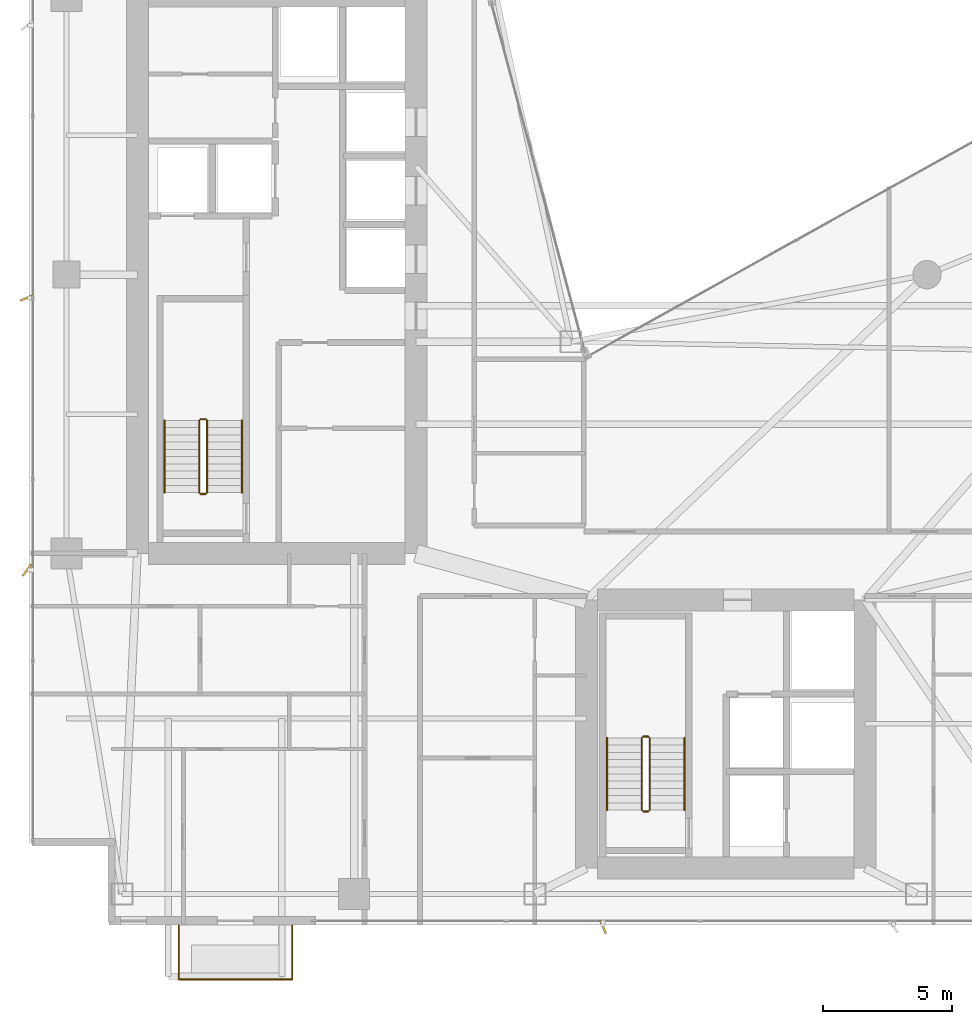
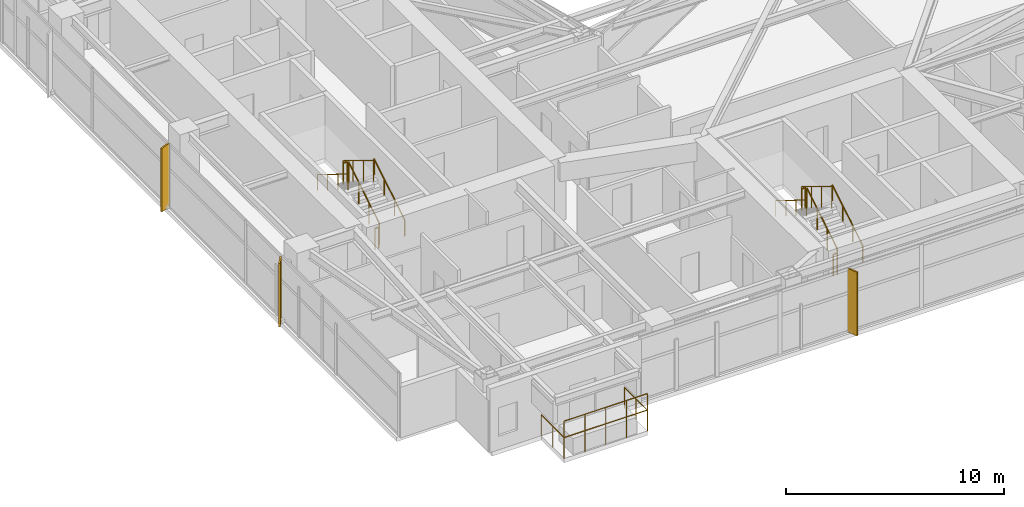
# One storey, part 27 of 28: 14 railings, 3 shading devices.
"""IFC4 building model written with IfcOpenShell, lengths in metres."""

from ifc_helpers import new_model, si_unit, direction, frame, origin, origin_2d, place, context, subcontext, project, spatial, rectangle, circle, extrude, material, type_object, element, save


model = new_model("IFC4")

# Units and contexts
model_context = context("Model", 3, precision=1e-05, world=origin(), true_north=direction((0.0, 1.0)))
body_context = subcontext(model_context, "Body", "Model", "MODEL_VIEW")
ifc_project = project(units=[si_unit("LENGTHUNIT", "METRE"), si_unit("AREAUNIT", "SQUARE_METRE"), si_unit("VOLUMEUNIT", "CUBIC_METRE"), si_unit("PLANEANGLEUNIT", "RADIAN"), si_unit("MASSUNIT", "GRAM", prefix="KILO")], contexts=[model_context])

# Site, building, storey
site_placement = place(None, origin())
site = spatial("IfcSite", under=ifc_project, at=site_placement, CompositionType="ELEMENT")
building_placement = place(site_placement, origin())
building = spatial("IfcBuilding", under=site, at=building_placement, Name="Calvorn Quay Hotel", CompositionType="ELEMENT")
storey_placement = place(building_placement, frame((0.0, 0.0, 108.800048828125)))
storey = spatial("IfcBuildingStorey", under=building, at=storey_placement, Name="L26", CompositionType="ELEMENT", Elevation=108.800048828125)

# Railings
ifc_material_1 = material(Name="Pale Anodised Aluminium and Laminated Glass", Category="aluminium")
railing_type_1 = type_object("IfcRailingType", Name="RLG-BALUSTRADE-1200", PredefinedType="BALUSTRADE", material=ifc_material_1)
railing_1_placement = place(storey_placement, frame((5.800048828125, 2.389892578125, 0.0)))
element("IfcRailing", 1, at=railing_1_placement, inside=storey, type_object=railing_type_1, Name="Tree Balcony Perimeter Balustrade L26-BALC-S", PredefinedType="BALUSTRADE", context=body_context, shape_type="SweptSolid", body=[
    extrude(circle(Radius=0.02392578125, at=origin_2d()), frame((0.0, 0.0, 1.17578125), z_axis=(0.0, -1.0, 0.0), x_axis=(1.0, 0.0, 0.0)), (0.0, 0.0, 1.0), 2.099853515625),
    extrude(circle(Radius=0.02392578125, at=origin_2d()), frame((0.0, -2.099853515625, 1.17578125), z_axis=(1.0, 0.0, 0.0), x_axis=(0.0, 1.0, 0.0)), (0.0, 0.0, 1.0), 4.39990234375),
    extrude(circle(Radius=0.02392578125, at=origin_2d()), frame((4.39990234375, -2.099853515625, 1.17578125), z_axis=(0.0, 1.0, 0.0), x_axis=(-1.0, 0.0, 0.0)), (0.0, 0.0, 1.0), 2.099853515625),
    extrude(circle(Radius=0.02099609375, at=origin_2d()), origin(), (0.0, 0.0, 1.0), 1.15185546875),
    extrude(circle(Radius=0.02099609375, at=origin_2d()), frame((0.0, -1.0498046875, 0.0)), (0.0, 0.0, 1.0), 1.15185546875),
    extrude(circle(Radius=0.02099609375, at=origin_2d()), frame((0.0, -2.099853515625, 0.0)), (0.0, 0.0, 1.0), 1.15185546875),
    extrude(circle(Radius=0.02099609375, at=origin_2d()), frame((1.10009765625, -2.099853515625, 0.0)), (0.0, 0.0, 1.0), 1.15185546875),
    extrude(circle(Radius=0.02099609375, at=origin_2d()), frame((2.199951171875, -2.099853515625, 0.0)), (0.0, 0.0, 1.0), 1.15185546875),
    extrude(circle(Radius=0.02099609375, at=origin_2d()), frame((3.2998046875, -2.099853515625, 0.0)), (0.0, 0.0, 1.0), 1.15185546875),
    extrude(circle(Radius=0.02099609375, at=origin_2d()), frame((4.39990234375, -2.099853515625, 0.0)), (0.0, 0.0, 1.0), 1.15185546875),
    extrude(circle(Radius=0.02099609375, at=origin_2d()), frame((4.39990234375, -1.0498046875, 0.0)), (0.0, 0.0, 1.0), 1.15185546875),
    extrude(circle(Radius=0.02099609375, at=origin_2d()), frame((4.39990234375, 0.0, 0.0)), (0.0, 0.0, 1.0), 1.15185546875),
])
railing_2_placement = place(storey_placement, frame((5.800048828125, 0.2900390625, 0.89990234375)))
element("IfcRailing", 2, at=railing_2_placement, inside=storey, type_object=railing_type_1, Name="Planter Kerb High Safety Screen L26-BALC-S", PredefinedType="BALUSTRADE", context=body_context, shape_type="SweptSolid", body=[
    extrude(circle(Radius=0.02392578125, at=origin_2d()), frame((0.0, 0.0, 1.19580078125), z_axis=(1.0, 0.0, 0.0), x_axis=(0.0, 1.0, 0.0)), (0.0, 0.0, 1.0), 4.39990234375),
    extrude(circle(Radius=0.02099609375, at=origin_2d()), origin(), (0.0, 0.0, 1.0), 1.171875),
    extrude(circle(Radius=0.02099609375, at=origin_2d()), frame((1.10009765625, 0.0, 0.0)), (0.0, 0.0, 1.0), 1.171875),
    extrude(circle(Radius=0.02099609375, at=origin_2d()), frame((2.199951171875, 0.0, 0.0)), (0.0, 0.0, 1.0), 1.171875),
    extrude(circle(Radius=0.02099609375, at=origin_2d()), frame((3.2998046875, 0.0, 0.0)), (0.0, 0.0, 1.0), 1.171875),
    extrude(circle(Radius=0.02099609375, at=origin_2d()), frame((4.39990234375, 0.0, 0.0)), (0.0, 0.0, 1.0), 1.171875),
])
ifc_material_2 = material(Name="Brushed Stainless Steel Handrail", Category="steel")
railing_type_2 = type_object("IfcRailingType", Name="RLG-HANDRAIL-900", PredefinedType="HANDRAIL", material=ifc_material_2)
railing_3_placement = place(storey_placement, frame((8.25, 19.14990234375, 0.172607421875)))
element("IfcRailing", 3, at=railing_3_placement, inside=storey, type_object=railing_type_2, Name="L26 ST-W stair handrail 1", PredefinedType="HANDRAIL", context=body_context, shape_type="SweptSolid", body=[
    extrude(circle(Radius=0.02392578125, at=origin_2d()), frame((0.0, 0.0, 0.8759765625), z_axis=(0.0, 0.851089632645, 0.525020415988), x_axis=(-1.0, 0.0, 0.0)), (0.0, 0.0, 1.0), 3.2900390625),
    extrude(circle(Radius=0.02099609375, at=origin_2d()), origin(), (0.0, 0.0, 1.0), 0.851806640625),
    extrude(circle(Radius=0.02099609375, at=origin_2d()), frame((0.0, 0.933349609375, 0.57568359375)), (0.0, 0.0, 1.0), 0.851806640625),
    extrude(circle(Radius=0.02099609375, at=origin_2d()), frame((0.0, 1.86669921875, 1.151611328125)), (0.0, 0.0, 1.0), 0.851806640625),
    extrude(circle(Radius=0.02099609375, at=origin_2d()), frame((0.0, 2.800048828125, 1.727294921875)), (0.0, 0.0, 1.0), 0.851806640625),
])
railing_4_placement = place(storey_placement, frame((5.25, 21.949951171875, 2.07275390625)))
element("IfcRailing", 4, at=railing_4_placement, inside=storey, type_object=railing_type_2, Name="L26 ST-W stair handrail 2", PredefinedType="HANDRAIL", context=body_context, shape_type="SweptSolid", body=[
    extrude(circle(Radius=0.02392578125, at=origin_2d()), frame((0.0, 0.0, 0.8759765625), z_axis=(0.0, -0.851089632645, 0.525020415988), x_axis=(1.0, 0.0, 0.0)), (0.0, 0.0, 1.0), 3.2900390625),
    extrude(circle(Radius=0.02099609375, at=origin_2d()), origin(), (0.0, 0.0, 1.0), 0.851806640625),
    extrude(circle(Radius=0.02099609375, at=origin_2d()), frame((0.0, -0.933349609375, 0.57568359375)), (0.0, 0.0, 1.0), 0.851806640625),
    extrude(circle(Radius=0.02099609375, at=origin_2d()), frame((0.0, -1.86669921875, 1.151611328125)), (0.0, 0.0, 1.0), 0.851806640625),
    extrude(circle(Radius=0.02099609375, at=origin_2d()), frame((0.0, -2.800048828125, 1.727294921875)), (0.0, 0.0, 1.0), 0.851806640625),
])
railing_5_placement = place(storey_placement, frame((25.39990234375, 6.85009765625, 0.172607421875)))
element("IfcRailing", 5, at=railing_5_placement, inside=storey, type_object=railing_type_2, Name="L26 ST-E stair handrail 1", PredefinedType="HANDRAIL", context=body_context, shape_type="SweptSolid", body=[
    extrude(circle(Radius=0.02392578125, at=origin_2d()), frame((0.0, 0.0, 0.8759765625), z_axis=(0.0, 0.851069175582, 0.525053576669), x_axis=(-1.0, 0.0, 0.0)), (0.0, 0.0, 1.0), 3.289794921875),
    extrude(circle(Radius=0.02099609375, at=origin_2d()), origin(), (0.0, 0.0, 1.0), 0.851806640625),
    extrude(circle(Radius=0.02099609375, at=origin_2d()), frame((0.0, 0.933349609375, 0.57568359375)), (0.0, 0.0, 1.0), 0.851806640625),
    extrude(circle(Radius=0.02099609375, at=origin_2d()), frame((0.0, 1.866455078125, 1.151611328125)), (0.0, 0.0, 1.0), 0.851806640625),
    extrude(circle(Radius=0.02099609375, at=origin_2d()), frame((0.0, 2.7998046875, 1.727294921875)), (0.0, 0.0, 1.0), 0.851806640625),
])
railing_6_placement = place(storey_placement, frame((22.39990234375, 9.64990234375, 2.07275390625)))
element("IfcRailing", 6, at=railing_6_placement, inside=storey, type_object=railing_type_2, Name="L26 ST-E stair handrail 2", PredefinedType="HANDRAIL", context=body_context, shape_type="SweptSolid", body=[
    extrude(circle(Radius=0.02392578125, at=origin_2d()), frame((0.0, 0.0, 0.8759765625), z_axis=(0.0, -0.851069175582, 0.525053576669), x_axis=(1.0, 0.0, 0.0)), (0.0, 0.0, 1.0), 3.289794921875),
    extrude(circle(Radius=0.02099609375, at=origin_2d()), origin(), (0.0, 0.0, 1.0), 0.851806640625),
    extrude(circle(Radius=0.02099609375, at=origin_2d()), frame((0.0, -0.933349609375, 0.57568359375)), (0.0, 0.0, 1.0), 0.851806640625),
    extrude(circle(Radius=0.02099609375, at=origin_2d()), frame((0.0, -1.866455078125, 1.151611328125)), (0.0, 0.0, 1.0), 0.851806640625),
    extrude(circle(Radius=0.02099609375, at=origin_2d()), frame((0.0, -2.7998046875, 1.727294921875)), (0.0, 0.0, 1.0), 0.851806640625),
])
ifc_material_3 = material(Name="Painted Galvanised Steel Balustrade", Category="steel")
railing_type_3 = type_object("IfcRailingType", Name="RLG-STAIR-GUARD-1120", PredefinedType="GUARDRAIL", material=ifc_material_3)
railing_7_placement = place(storey_placement, frame((6.89990234375, 19.14990234375, 0.172607421875)))
element("IfcRailing", 7, at=railing_7_placement, inside=storey, type_object=railing_type_3, Name="L26 ST-W stair guard 1", PredefinedType="GUARDRAIL", context=body_context, shape_type="SweptSolid", body=[
    extrude(circle(Radius=0.02392578125, at=origin_2d()), frame((0.0, 0.0, 1.17578125), z_axis=(0.0, 0.851089632645, 0.525020415988), x_axis=(-1.0, 0.0, 0.0)), (0.0, 0.0, 1.0), 3.2900390625),
    extrude(circle(Radius=0.02099609375, at=origin_2d()), origin(), (0.0, 0.0, 1.0), 1.15185546875),
    extrude(circle(Radius=0.02099609375, at=origin_2d()), frame((0.0, 0.933349609375, 0.57568359375)), (0.0, 0.0, 1.0), 1.15185546875),
    extrude(circle(Radius=0.02099609375, at=origin_2d()), frame((0.0, 1.86669921875, 1.151611328125)), (0.0, 0.0, 1.0), 1.15185546875),
    extrude(circle(Radius=0.02099609375, at=origin_2d()), frame((0.0, 2.800048828125, 1.727294921875)), (0.0, 0.0, 1.0), 1.15185546875),
])
railing_8_placement = place(storey_placement, frame((6.85009765625, 22.0, 1.89990234375)))
element("IfcRailing", 8, at=railing_8_placement, inside=storey, type_object=railing_type_3, Name="L26 ST-W stair guard 2", PredefinedType="GUARDRAIL", context=body_context, shape_type="SweptSolid", body=[
    extrude(circle(Radius=0.02392578125, at=origin_2d()), frame((0.0, 0.0, 1.17578125), z_axis=(-1.0, 0.0, 0.0), x_axis=(0.0, -1.0, 0.0)), (0.0, 0.0, 1.0), 0.2001953125),
    extrude(circle(Radius=0.02099609375, at=origin_2d()), origin(), (0.0, 0.0, 1.0), 1.15185546875),
    extrude(circle(Radius=0.02099609375, at=origin_2d()), frame((-0.2001953125, 0.0, 0.0)), (0.0, 0.0, 1.0), 1.15185546875),
])
railing_9_placement = place(storey_placement, frame((6.60009765625, 21.949951171875, 2.07275390625)))
element("IfcRailing", 9, at=railing_9_placement, inside=storey, type_object=railing_type_3, Name="L26 ST-W stair guard 3", PredefinedType="GUARDRAIL", context=body_context, shape_type="SweptSolid", body=[
    extrude(circle(Radius=0.02392578125, at=origin_2d()), frame((0.0, 0.0, 1.17578125), z_axis=(0.0, -0.851089632645, 0.525020415988), x_axis=(1.0, 0.0, 0.0)), (0.0, 0.0, 1.0), 3.2900390625),
    extrude(circle(Radius=0.02099609375, at=origin_2d()), origin(), (0.0, 0.0, 1.0), 1.15185546875),
    extrude(circle(Radius=0.02099609375, at=origin_2d()), frame((0.0, -0.933349609375, 0.57568359375)), (0.0, 0.0, 1.0), 1.15185546875),
    extrude(circle(Radius=0.02099609375, at=origin_2d()), frame((0.0, -1.86669921875, 1.151611328125)), (0.0, 0.0, 1.0), 1.15185546875),
    extrude(circle(Radius=0.02099609375, at=origin_2d()), frame((0.0, -2.800048828125, 1.727294921875)), (0.0, 0.0, 1.0), 1.15185546875),
])
railing_10_placement = place(storey_placement, frame((6.85009765625, 19.10009765625, 0.0)))
element("IfcRailing", 10, at=railing_10_placement, inside=storey, type_object=railing_type_3, Name="L26 ST-W stair guard 4", PredefinedType="GUARDRAIL", context=body_context, shape_type="SweptSolid", body=[
    extrude(circle(Radius=0.02392578125, at=origin_2d()), frame((0.0, 0.0, 1.17578125), z_axis=(-1.0, 0.0, 0.0), x_axis=(0.0, -1.0, 0.0)), (0.0, 0.0, 1.0), 0.2001953125),
    extrude(circle(Radius=0.02099609375, at=origin_2d()), origin(), (0.0, 0.0, 1.0), 1.15185546875),
    extrude(circle(Radius=0.02099609375, at=origin_2d()), frame((-0.2001953125, 0.0, 0.0)), (0.0, 0.0, 1.0), 1.15185546875),
])
railing_11_placement = place(storey_placement, frame((24.050048828125, 6.85009765625, 0.172607421875)))
element("IfcRailing", 11, at=railing_11_placement, inside=storey, type_object=railing_type_3, Name="L26 ST-E stair guard 1", PredefinedType="GUARDRAIL", context=body_context, shape_type="SweptSolid", body=[
    extrude(circle(Radius=0.02392578125, at=origin_2d()), frame((0.0, 0.0, 1.17578125), z_axis=(0.0, 0.851069175582, 0.525053576669), x_axis=(-1.0, 0.0, 0.0)), (0.0, 0.0, 1.0), 3.289794921875),
    extrude(circle(Radius=0.02099609375, at=origin_2d()), origin(), (0.0, 0.0, 1.0), 1.15185546875),
    extrude(circle(Radius=0.02099609375, at=origin_2d()), frame((0.0, 0.933349609375, 0.57568359375)), (0.0, 0.0, 1.0), 1.15185546875),
    extrude(circle(Radius=0.02099609375, at=origin_2d()), frame((0.0, 1.866455078125, 1.151611328125)), (0.0, 0.0, 1.0), 1.15185546875),
    extrude(circle(Radius=0.02099609375, at=origin_2d()), frame((0.0, 2.7998046875, 1.727294921875)), (0.0, 0.0, 1.0), 1.15185546875),
])
railing_12_placement = place(storey_placement, frame((24.0, 9.699951171875, 1.89990234375)))
element("IfcRailing", 12, at=railing_12_placement, inside=storey, type_object=railing_type_3, Name="L26 ST-E stair guard 2", PredefinedType="GUARDRAIL", context=body_context, shape_type="SweptSolid", body=[
    extrude(circle(Radius=0.02392578125, at=origin_2d()), frame((0.0, 0.0, 1.17578125), z_axis=(-1.0, 0.0, 0.0), x_axis=(0.0, -1.0, 0.0)), (0.0, 0.0, 1.0), 0.199951171875),
    extrude(circle(Radius=0.02099609375, at=origin_2d()), origin(), (0.0, 0.0, 1.0), 1.15185546875),
    extrude(circle(Radius=0.02099609375, at=origin_2d()), frame((-0.199951171875, 0.0, 0.0)), (0.0, 0.0, 1.0), 1.15185546875),
])
railing_13_placement = place(storey_placement, frame((23.75, 9.64990234375, 2.07275390625)))
element("IfcRailing", 13, at=railing_13_placement, inside=storey, type_object=railing_type_3, Name="L26 ST-E stair guard 3", PredefinedType="GUARDRAIL", context=body_context, shape_type="SweptSolid", body=[
    extrude(circle(Radius=0.02392578125, at=origin_2d()), frame((0.0, 0.0, 1.17578125), z_axis=(0.0, -0.851069175582, 0.525053576669), x_axis=(1.0, 0.0, 0.0)), (0.0, 0.0, 1.0), 3.289794921875),
    extrude(circle(Radius=0.02099609375, at=origin_2d()), origin(), (0.0, 0.0, 1.0), 1.15185546875),
    extrude(circle(Radius=0.02099609375, at=origin_2d()), frame((0.0, -0.933349609375, 0.57568359375)), (0.0, 0.0, 1.0), 1.15185546875),
    extrude(circle(Radius=0.02099609375, at=origin_2d()), frame((0.0, -1.866455078125, 1.151611328125)), (0.0, 0.0, 1.0), 1.15185546875),
    extrude(circle(Radius=0.02099609375, at=origin_2d()), frame((0.0, -2.7998046875, 1.727294921875)), (0.0, 0.0, 1.0), 1.15185546875),
])
railing_14_placement = place(storey_placement, frame((24.0, 6.800048828125, 0.0)))
element("IfcRailing", 14, at=railing_14_placement, inside=storey, type_object=railing_type_3, Name="L26 ST-E stair guard 4", PredefinedType="GUARDRAIL", context=body_context, shape_type="SweptSolid", body=[
    extrude(circle(Radius=0.02392578125, at=origin_2d()), frame((0.0, 0.0, 1.17578125), z_axis=(-1.0, 0.0, 0.0), x_axis=(0.0, -1.0, 0.0)), (0.0, 0.0, 1.0), 0.199951171875),
    extrude(circle(Radius=0.02099609375, at=origin_2d()), origin(), (0.0, 0.0, 1.0), 1.15185546875),
    extrude(circle(Radius=0.02099609375, at=origin_2d()), frame((-0.199951171875, 0.0, 0.0)), (0.0, 0.0, 1.0), 1.15185546875),
])

# Shading devices
ifc_material_4 = material(Name="Champagne Bronze Anodised Aluminium 6063-T6", Category="aluminium")
shading_device_type_1 = type_object("IfcShadingDeviceType", Name="SHD-FIN-A1", PredefinedType="USERDEFINED", material=ifc_material_4)
for number, where, z_axis, x_axis, name in (
    (15, (-0.080078125, 26.699951171875, 0.0), (0.0, 0.0, 1.0), (0.927183854567, 0.374606593416, 0.0), "Diagonal Sun-Shading Fin L26-W02"),
    (16, (22.25, 2.320068359375, 0.0), (0.0, 0.0, 1.0), (-0.374606593416, 0.927183854567, 0.0), "Diagonal Sun-Shading Fin L26-S01"),
):
    element("IfcShadingDevice", number, at=place(storey_placement, frame(where, z_axis=z_axis, x_axis=x_axis)), inside=storey, type_object=shading_device_type_1, Name=name, ObjectType="FIN", PredefinedType="USERDEFINED", context=body_context, shape_type="SweptSolid", body=[
        extrude(rectangle(XDim=0.550048828125, YDim=0.080078125, at=origin_2d()), origin(), (0.0, 0.0, 1.0), 3.56005859375),
    ])
ifc_material_5 = material(Name="Champagne Bronze Anodised Aluminium 6063-T6", Category="aluminium")
shading_device_type_2 = type_object("IfcShadingDeviceType", Name="SHD-FIN-A3", PredefinedType="USERDEFINED", material=ifc_material_5)
shading_device_placement = place(storey_placement, frame((-0.080078125, 16.14990234375, 0.0), z_axis=(0.0, 0.0, 1.0), x_axis=(0.587785252292, 0.809016994375, 0.0)))
element("IfcShadingDevice", 17, at=shading_device_placement, inside=storey, type_object=shading_device_type_2, Name="Diagonal Sun-Shading Fin L26-W01", ObjectType="FIN", PredefinedType="USERDEFINED", context=body_context, shape_type="SweptSolid", body=[
    extrude(rectangle(XDim=0.550048828125, YDim=0.080078125, at=origin_2d()), origin(), (0.0, 0.0, 1.0), 3.56005859375),
])

save(model, "model.ifc")
